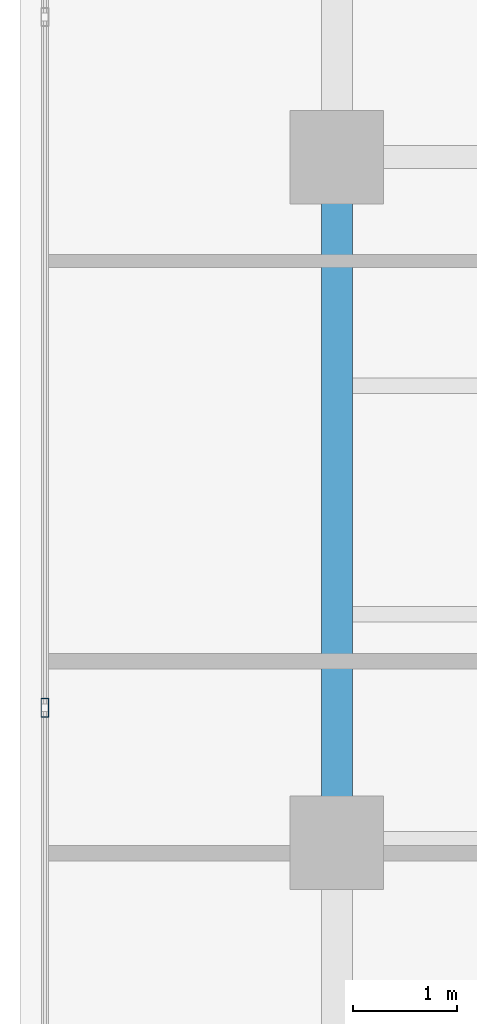
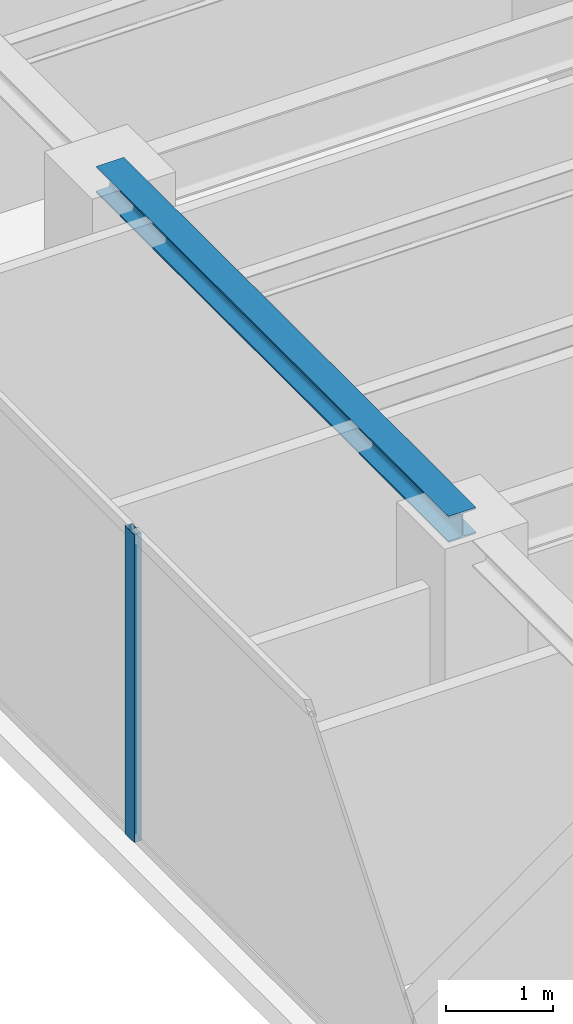
# One storey, part 11 of 32: 1 beam, 1 member, 1 element without a shape of its own.
"""IFC4 building model written with IfcOpenShell, lengths in metres."""

from ifc_helpers import new_model, si_unit, direction, frame, origin, origin_with_axes, origin_2d, place, context, subcontext, project, spatial, hollow_rectangle, i_section, extrude, source, transform, mapped, material, layer, layer_set, material_profile, profile_set, type_object, element, aggregate, save


model = new_model("IFC4")

# Units and contexts
model_context = context("Model", 3, precision=1e-05, world=origin(), true_north=direction((0.0, 1.0)))
body_context = subcontext(model_context, "Body", "Model", "MODEL_VIEW")
ifc_project = project(units=[si_unit("LENGTHUNIT", "METRE"), si_unit("AREAUNIT", "SQUARE_METRE"), si_unit("VOLUMEUNIT", "CUBIC_METRE"), si_unit("PLANEANGLEUNIT", "RADIAN"), si_unit("MASSUNIT", "GRAM", prefix="KILO")], contexts=[model_context])

# Site, building, storey
site_placement = place(None, origin())
site = spatial("IfcSite", under=ifc_project, at=site_placement, CompositionType="ELEMENT")
building_placement = place(site_placement, origin())
building = spatial("IfcBuilding", under=site, at=building_placement, Name="Kolvaren Waterfront Exchange", CompositionType="ELEMENT")
storey_placement = place(building_placement, frame((0.0, 0.0, 348.10009765625)))
storey = spatial("IfcBuildingStorey", under=building, at=storey_placement, Name="L89", CompositionType="ELEMENT", Elevation=348.10009765625)

# Beam
ifc_material_1 = material(Name="Steel S355", Category="steel")
ifc_material_profile_1 = material_profile(ifc_material_1, i_section(OverallWidth=0.300048828125, OverallDepth=0.300048828125, WebThickness=0.010986328125, FlangeThickness=0.01904296875, FilletRadius=0.027099609375, at=origin_2d()), Name="HEB300")
ifc_profile_set_1 = profile_set([ifc_material_profile_1], Name="Steel S355")
beam_type = type_object("IfcBeamType", Name="STR-BM-HEB300", PredefinedType="SPANDREL", material=ifc_profile_set_1)
beam_placement = place(storey_placement, frame((7.449951171875, 31.199951171875, 3.369873046875), z_axis=(0.0, 1.0, 0.0), x_axis=(-1.0, 0.0, 0.0)))
element("IfcBeam", 1, at=beam_placement, inside=storey, type_object=beam_type, Name="L89 north-arm edge beam 2", PredefinedType="SPANDREL", context=body_context, shape_type="SweptSolid", body=[
    extrude(i_section(OverallWidth=0.300048828125, OverallDepth=0.300048828125, WebThickness=0.010986328125, FlangeThickness=0.01904296875, FilletRadius=0.027099609375, at=origin_2d()), origin(), (0.0, 0.0, 1.0), 6.60009765625),
])

# Curtain wall, member
ifc_material_2 = material(Name="Anodised bronze aluminium 6063-T6", Category="aluminium")
ifc_layer = layer(ifc_material_2, 0.219970703125, Name="Anodised bronze aluminium 6063-T6")
ifc_layer_set = layer_set([ifc_layer], Name="Anodised bronze aluminium 6063-T6")
curtain_wall_type = type_object("IfcCurtainWallType", Name="ARC-CW-SYS5", PredefinedType="USERDEFINED", material=ifc_layer_set)
curtain_wall_placement = place(storey_placement, origin())
curtain_wall = element("IfcCurtainWall", 2, at=curtain_wall_placement, inside=storey, type_object=curtain_wall_type, Name="L89 stick curtain wall CW5 (CW-L89-W)", ObjectType="STICK CURTAIN WALL", PredefinedType="USERDEFINED")
ifc_material_profile_2 = material_profile(ifc_material_2, hollow_rectangle(XDim=0.074951171875, YDim=0.179931640625, WallThickness=0.00439453125, at=origin_2d()), Name="ALU-MUL-180x75x4.5")
ifc_profile_set_2 = profile_set([ifc_material_profile_2], Name="Anodised bronze aluminium 6063-T6")
member_type = type_object("IfcMemberType", Name="ARC-CWM-180", PredefinedType="MULLION", material=ifc_profile_set_2)
shared_shape = source(origin_with_axes(), body_context, "Body", "SweptSolid", [
    extrude(hollow_rectangle(XDim=0.074951171875, YDim=0.179931640625, WallThickness=0.00439453125, at=origin_2d()), origin(), (0.0, 0.0, 1.0), 3.52001953125),
])
member_placement = place(storey_placement, frame((4.639892578125, 32.5, 0.0), z_axis=(0.0, 0.0, 1.0), x_axis=(-1.0, 0.0, 0.0)))
member = element("IfcMember", 3, at=member_placement, type_object=member_type, Name="CW5 mullion 5", PredefinedType="MULLION", context=body_context, shape_type="MappedRepresentation", body=[
    mapped(shared_shape, transform((0.0, 0.0, 0.0), x_axis=(1.0, 0.0, 0.0), y_axis=(0.0, 1.0, 0.0), z_axis=(0.0, 0.0, 1.0), scale=1.0)),
])
aggregate(curtain_wall, [member])

save(model, "model.ifc")
